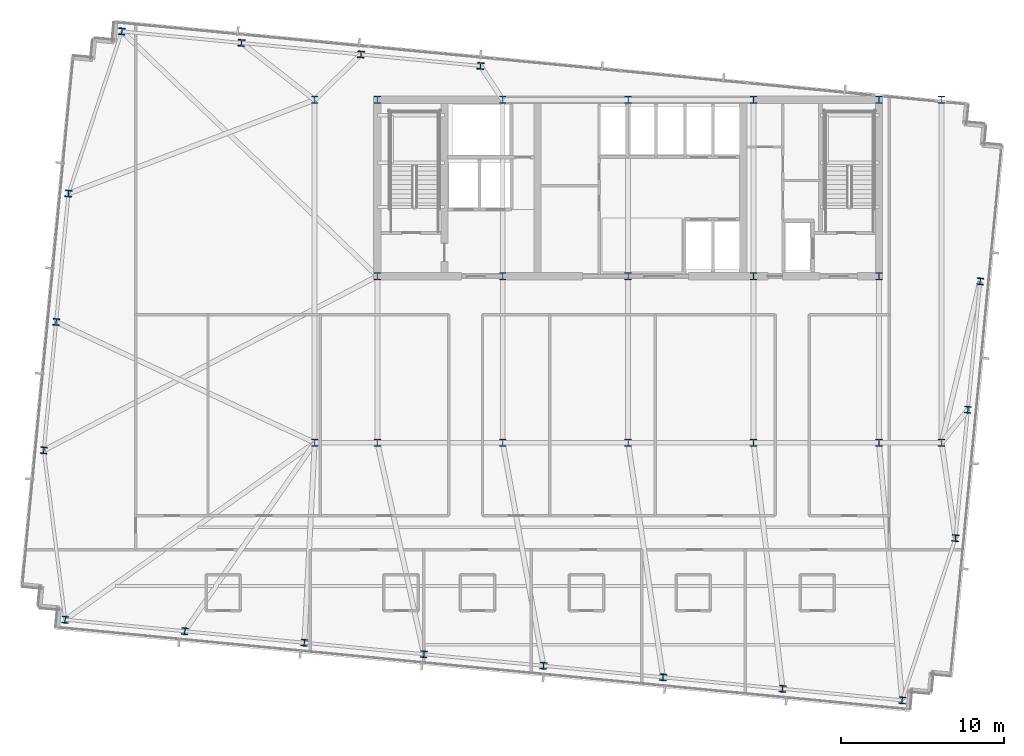
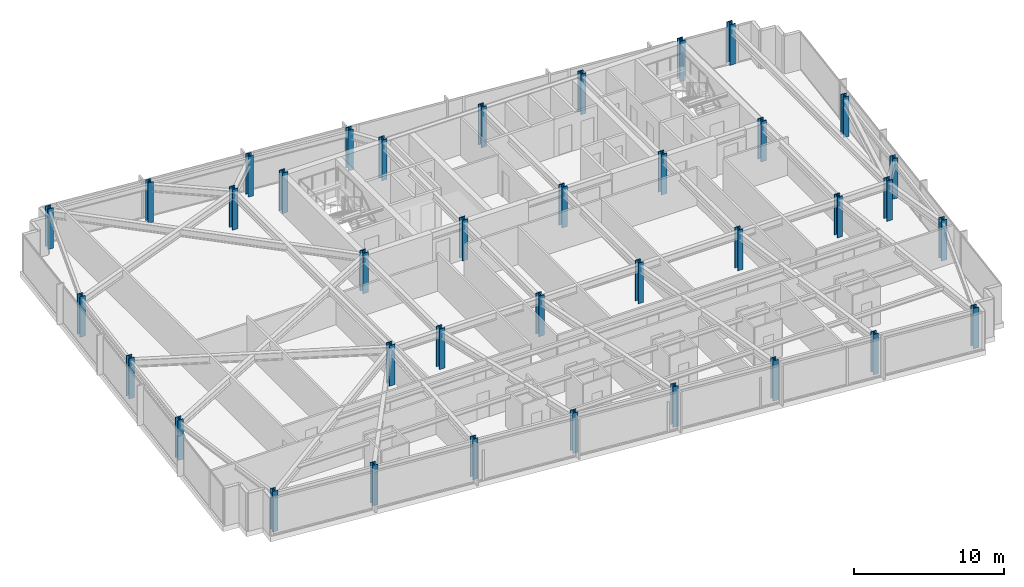
# One storey, part 1 of 37: 37 columns.
"""IFC4 building model written with IfcOpenShell, lengths in metres."""

import ifcopenshell
import ifcopenshell.guid

model = None  # the IFC model being written
_history = None  # IfcOwnerHistory: only IFC2X3 demands one
_inside = {}  # id of a spatial element -> (the spatial element, [elements in it])
_under = {}  # id of a project, library or spatial element -> (it, [spatial elements below it])
_declared = {}  # id of a project -> (the project, [libraries it declares])
_typed = {}  # id of a type object -> (the type object, [elements of that type])
_made_of = {}  # id of a material, layer set ... -> (it, [elements and type objects made of it])


def new_model(schema):
    """Start an empty IFC model of exactly this schema.

    Asked for "IFC4X3", IfcOpenShell would pick the latest addendum, in which some entities
    have other attributes; the version numbers below select the first issue.
    IFC2X3 requires an IfcOwnerHistory on every rooted entity: one is made here for all.
    """
    global model, _history
    if schema == "IFC4X3":
        model = ifcopenshell.file(schema_version=(4, 3, 0, 0))
    else:
        model = ifcopenshell.file(schema=schema)
    _inside.clear()
    _under.clear()
    _declared.clear()
    _typed.clear()
    _made_of.clear()
    _history = None
    if model.schema == "IFC2X3":
        org = make("IfcOrganization", Name="unknown")
        user = make(
            "IfcPersonAndOrganization",
            ThePerson=make("IfcPerson", FamilyName="unknown"),
            TheOrganization=org,
        )
        app = make(
            "IfcApplication",
            ApplicationDeveloper=org,
            Version="unknown",
            ApplicationFullName="unknown",
            ApplicationIdentifier="unknown",
        )
        _history = make(
            "IfcOwnerHistory",
            OwningUser=user,
            OwningApplication=app,
            ChangeAction="ADDED",
            CreationDate=0,
        )
    return model


def make(cls, **values):
    """One entity of the class cls with the attributes given. An attribute that is None is left unset."""
    return model.create_entity(
        cls, **{name: value for name, value in values.items() if value is not None}
    )


def rooted(cls, **values):
    """An entity with a GlobalId (a new one), such as an element, a storey or a relation."""
    return make(cls, GlobalId=ifcopenshell.guid.new(), OwnerHistory=_history, **values)


def si_unit(unit_type, name, prefix=None):
    """IfcSIUnit, for example si_unit("LENGTHUNIT", "METRE", prefix="MILLI")."""
    return make("IfcSIUnit", UnitType=unit_type, Prefix=prefix, Name=name)


def assignment(units):
    """IfcUnitAssignment: the units of a project."""
    return None if units is None else make("IfcUnitAssignment", Units=units)


def point(xyz):
    """IfcCartesianPoint."""
    return None if xyz is None else make("IfcCartesianPoint", Coordinates=xyz)


def direction(xyz):
    """IfcDirection."""
    return None if xyz is None else make("IfcDirection", DirectionRatios=xyz)


def frame(location, z_axis=None, x_axis=None):
    """IfcAxis2Placement3D, a coordinate frame: its origin and axes. An axis left out is left unset."""
    return make(
        "IfcAxis2Placement3D",
        Location=point(location),
        Axis=direction(z_axis),
        RefDirection=direction(x_axis),
    )


def frame_2d(location, x_axis=None):
    """IfcAxis2Placement2D, a coordinate frame in the plane: its origin and x axis."""
    return make(
        "IfcAxis2Placement2D", Location=point(location), RefDirection=direction(x_axis)
    )


def origin():
    """The frame at (0, 0, 0) with its axes left unset."""
    return frame((0.0, 0.0, 0.0))


def origin_2d():
    """The frame at (0, 0) in the plane with its x axis left unset."""
    return frame_2d((0.0, 0.0))


def place(relative_to, where):
    """IfcLocalPlacement: puts the frame where relative to a parent placement (None: the world)."""
    return make(
        "IfcLocalPlacement", PlacementRelTo=relative_to, RelativePlacement=where
    )


def context(
    kind, dimensions, precision=None, world=None, true_north=None, identifier=None
):
    """IfcGeometricRepresentationContext, for example the 3D "Model" context."""
    return make(
        "IfcGeometricRepresentationContext",
        ContextIdentifier=identifier,
        ContextType=kind,
        CoordinateSpaceDimension=dimensions,
        Precision=precision,
        WorldCoordinateSystem=world,
        TrueNorth=true_north,
    )


def subcontext(parent, identifier, kind, view, scale=None):
    """IfcGeometricRepresentationSubContext, for example "Body" below "Model"."""
    return make(
        "IfcGeometricRepresentationSubContext",
        ContextIdentifier=identifier,
        ContextType=kind,
        ParentContext=parent,
        TargetScale=scale,
        TargetView=view,
    )


def project(units=None, contexts=None):
    """IfcProject with its units and contexts."""
    return rooted(
        "IfcProject",
        Name="project",
        RepresentationContexts=contexts,
        UnitsInContext=assignment(units),
    )


def spatial(cls, under=None, at=None, **own):
    """A site, building, storey or space (cls), placed at a placement, below another one or the project."""
    s = rooted(cls, ObjectPlacement=at, **own)
    if under is not None:
        _under.setdefault(under.id(), (under, []))[1].append(s)
    return s


def profile(cls, at=None, kind="AREA", **sizes):
    """A parametric profile (cls). Its sizes go by their IFC names, for example OverallWidth=200.0."""
    return make(cls, ProfileType=kind, Position=at, **sizes)


def i_section(**sizes):
    """IfcIShapeProfileDef."""
    return profile("IfcIShapeProfileDef", **sizes)


def extrude(swept, where, along, depth):
    """IfcExtrudedAreaSolid: the profile swept, set in the frame where, extruded along a direction by depth."""
    return make(
        "IfcExtrudedAreaSolid",
        SweptArea=swept,
        Position=where,
        ExtrudedDirection=direction(along),
        Depth=depth,
    )


def shape(context_of_items, identifier, shape_type, items):
    """IfcShapeRepresentation: the items that make up one representation, for example the "Body"."""
    return make(
        "IfcShapeRepresentation",
        ContextOfItems=context_of_items,
        RepresentationIdentifier=identifier,
        RepresentationType=shape_type,
        Items=items,
    )


def material(Name=None, Category=None):
    """IfcMaterial."""
    return make("IfcMaterial", Name=Name, Category=Category)


def material_profile(
    of_material, cross_section, Name=None, Category=None, Priority=None
):
    """IfcMaterialProfile: a cross section and its material."""
    return make(
        "IfcMaterialProfile",
        Name=Name,
        Material=of_material,
        Profile=cross_section,
        Priority=Priority,
        Category=Category,
    )


def profile_set(profiles, Name=None, composite=None):
    """IfcMaterialProfileSet."""
    return make(
        "IfcMaterialProfileSet",
        Name=Name,
        MaterialProfiles=profiles,
        CompositeProfile=composite,
    )


def made_of(thing, what):
    """Note that an element or type object is made of a material, layer set ...; save() writes the relation."""
    if what is not None:
        _made_of.setdefault(what.id(), (what, []))[1].append(thing)
    return thing


def type_object(cls, material=None, **own):
    """A type object (cls), such as IfcWallType, which elements share."""
    return made_of(rooted(cls, **own), material)


def element(
    cls,
    number,
    at=None,
    inside=None,
    cuts=None,
    type_object=None,
    material=None,
    context=None,
    identifier="Body",
    shape_type=None,
    held_by="IfcProductDefinitionShape",
    body=None,
    shapes=None,
    **own,
):
    """One element of the class cls, such as IfcWall. Its Tag is "e" and its number.

    at: its placement. inside: the storey or other place that contains it. cuts: it is an
    opening in that element (IfcRelVoidsElement). A single representation is given by context,
    identifier, shape_type and body (its items); several are given by shapes. held_by: the class
    of the entity that holds the representations. save() writes the other relations.
    """
    e = rooted(cls, Tag="e%d" % number, ObjectPlacement=at, **own)
    if body is not None:
        shapes = [shape(context, identifier, shape_type, body)]
    if shapes is not None:
        e.Representation = make(held_by, Representations=shapes)
    if inside is not None:
        _inside.setdefault(inside.id(), (inside, []))[1].append(e)
    if cuts is not None:
        rooted(
            "IfcRelVoidsElement", RelatingBuildingElement=cuts, RelatedOpeningElement=e
        )
    if type_object is not None:
        _typed.setdefault(type_object.id(), (type_object, []))[1].append(e)
    return made_of(e, material)


def aggregate(whole, parts):
    """IfcRelAggregates: a whole, such as a stair, and the parts it consists of."""
    return rooted("IfcRelAggregates", RelatingObject=whole, RelatedObjects=parts)


def save(model, path):
    """Write the relations noted so far, then the file.

    IfcRelAggregates (storeys below a building ...), IfcRelContainedInSpatialStructure (elements
    in a storey), IfcRelDefinesByType, IfcRelAssociatesMaterial and IfcRelDeclares: one each for
    every whole, place, type object, material and project.
    """
    for whole, parts in _under.values():
        aggregate(whole, parts)
    for where, things in _inside.values():
        rooted(
            "IfcRelContainedInSpatialStructure",
            RelatedElements=things,
            RelatingStructure=where,
        )
    for kind, things in _typed.values():
        rooted("IfcRelDefinesByType", RelatedObjects=things, RelatingType=kind)
    for what, things in _made_of.values():
        rooted("IfcRelAssociatesMaterial", RelatedObjects=things, RelatingMaterial=what)
    for by, libraries in _declared.values():
        rooted("IfcRelDeclares", RelatingContext=by, RelatedDefinitions=libraries)
    model.write(path)


model = new_model("IFC4")

# Units and contexts
model_context = context("Model", 3, precision=1e-05, world=origin(), true_north=direction((0.0, 1.0)))
body_context = subcontext(model_context, "Body", "Model", "MODEL_VIEW")
ifc_project = project(units=[si_unit("LENGTHUNIT", "METRE"), si_unit("AREAUNIT", "SQUARE_METRE"), si_unit("VOLUMEUNIT", "CUBIC_METRE"), si_unit("PLANEANGLEUNIT", "RADIAN"), si_unit("MASSUNIT", "GRAM", prefix="KILO")], contexts=[model_context])

# Site, building, storey
site_placement = place(None, origin())
site = spatial("IfcSite", under=ifc_project, at=site_placement, CompositionType="ELEMENT")
building_placement = place(site_placement, origin())
building = spatial("IfcBuilding", under=site, at=building_placement, Name="Yelkora Congress Tower", CompositionType="ELEMENT")
storey_placement = place(building_placement, frame((0.0, 0.0, 149.0)))
storey = spatial("IfcBuildingStorey", under=building, at=storey_placement, Name="L40", CompositionType="ELEMENT", Elevation=149.0)

# Columns
ifc_material = material(Name="Steel S460M", Category="steel")
ifc_material_profile_1 = material_profile(ifc_material, i_section(OverallWidth=0.406005859375, OverallDepth=0.416015625, WebThickness=0.02978515625, FlangeThickness=0.048095703125, FilletRadius=0.014892578125, at=origin_2d()), Name="HD 400x382")
ifc_profile_set_1 = profile_set([ifc_material_profile_1], Name="Steel S460M")
column_type_1 = type_object("IfcColumnType", Name="COL-HD-382-EXT", PredefinedType="COLUMN", material=ifc_profile_set_1)
for number, where, z_axis, x_axis, name in (
    (1, (3.919189453125, 14.357421875, 0.0), (0.0, 0.0, 1.0), (0.995396198367, -0.09584575252, 0.0), "L40 Perimeter Column S01"),
    (2, (11.242431640625, 13.652099609375, 0.0), (0.0, 0.0, 1.0), (0.995396198367, -0.09584575252, 0.0), "L40 Perimeter Column S02"),
    (3, (18.56591796875, 12.947021484375, 0.0), (0.0, 0.0, 1.0), (0.995396198367, -0.09584575252, 0.0), "L40 Perimeter Column S03"),
    (4, (25.888916015625, 12.24169921875, 0.0), (0.0, 0.0, 1.0), (0.995396198367, -0.09584575252, 0.0), "L40 Perimeter Column S04"),
    (5, (33.21240234375, 11.53662109375, 0.0), (0.0, 0.0, 1.0), (0.995396198367, -0.09584575252, 0.0), "L40 Perimeter Column S05"),
    (6, (40.53564453125, 10.83154296875, 0.0), (0.0, 0.0, 1.0), (0.995396198367, -0.09584575252, 0.0), "L40 Perimeter Column S06"),
    (7, (47.85888671875, 10.12646484375, 0.0), (0.0, 0.0, 1.0), (0.995396198367, -0.09584575252, 0.0), "L40 Perimeter Column S07"),
    (8, (55.18212890625, 9.421142578125, 0.0), (0.0, 0.0, 1.0), (0.995396198367, -0.09584575252, 0.0), "L40 Perimeter Column S08"),
    (9, (7.388916015625, 50.390625, 0.0), (0.0, 0.0, 1.0), (0.995396198367, -0.09584575252, 0.0), "L40 Perimeter Column N01"),
    (10, (14.712158203125, 49.685546875, 0.0), (0.0, 0.0, 1.0), (0.995396198367, -0.09584575252, 0.0), "L40 Perimeter Column N02"),
    (11, (22.035400390625, 48.980224609375, 0.0), (0.0, 0.0, 1.0), (0.995396198367, -0.09584575252, 0.0), "L40 Perimeter Column N03"),
    (12, (29.358642578125, 48.275146484375, 0.0), (0.0, 0.0, 1.0), (0.995396198367, -0.09584575252, 0.0), "L40 Perimeter Column N04"),
    (13, (2.607421875, 24.730712890625, 0.0), (0.0, 0.0, 1.0), (0.995396198367, -0.09584575252, 0.0), "L40 Perimeter Column W01"),
    (14, (58.44921875, 19.353759765625, 0.0), (0.0, 0.0, 1.0), (0.995396198367, -0.09584575252, 0.0), "L40 Perimeter Column E01"),
    (15, (3.364501953125, 32.594482421875, 0.0), (0.0, 0.0, 1.0), (0.995396198367, -0.09584575252, 0.0), "L40 Perimeter Column W02"),
    (16, (59.206298828125, 27.217529296875, 0.0), (0.0, 0.0, 1.0), (0.995396198367, -0.09584575252, 0.0), "L40 Perimeter Column E02"),
    (17, (4.121826171875, 40.4580078125, 0.0), (0.0, 0.0, 1.0), (0.995396198367, -0.09584575252, 0.0), "L40 Perimeter Column W03"),
    (18, (59.96337890625, 35.0810546875, 0.0), (0.0, 0.0, 1.0), (0.995396198367, -0.09584575252, 0.0), "L40 Perimeter Column E03"),
):
    element("IfcColumn", number, at=place(storey_placement, frame(where, z_axis=z_axis, x_axis=x_axis)), inside=storey, type_object=column_type_1, Name=name, PredefinedType="COLUMN", context=body_context, shape_type="SweptSolid", body=[
        extrude(i_section(OverallWidth=0.406005859375, OverallDepth=0.416015625, WebThickness=0.02978515625, FlangeThickness=0.048095703125, FilletRadius=0.014892578125, at=origin_2d()), origin(), (0.0, 0.0, 1.0), 3.300048828125),
    ])
ifc_material_profile_2 = material_profile(ifc_material, i_section(OverallWidth=0.41796875, OverallDepth=0.455078125, WebThickness=0.0419921875, FlangeThickness=0.068115234375, FilletRadius=0.014892578125, at=origin_2d()), Name="HD 400x551")
ifc_profile_set_2 = profile_set([ifc_material_profile_2], Name="Steel S460M")
column_type_2 = type_object("IfcColumnType", Name="COL-HD-551", PredefinedType="COLUMN", material=ifc_profile_set_2)
for number, where, z_axis, x_axis, name in (
    (19, (23.0400390625, 35.39990234375, 0.0), (0.0, 0.0, 1.0), (1.0, 0.0, 0.0), "L40 Mega Column MC-S1"),
    (20, (23.0400390625, 46.199951171875, 0.0), (0.0, 0.0, 1.0), (1.0, 0.0, 0.0), "L40 Mega Column MC-N1"),
    (21, (23.0400390625, 25.199951171875, 0.0), (0.0, 0.0, 1.0), (1.0, 0.0, 0.0), "L40 Mega Column MC-D1"),
    (22, (30.719970703125, 35.39990234375, 0.0), (0.0, 0.0, 1.0), (1.0, 0.0, 0.0), "L40 Mega Column MC-S2"),
    (23, (30.719970703125, 46.199951171875, 0.0), (0.0, 0.0, 1.0), (1.0, 0.0, 0.0), "L40 Mega Column MC-N2"),
    (24, (30.719970703125, 25.199951171875, 0.0), (0.0, 0.0, 1.0), (1.0, 0.0, 0.0), "L40 Mega Column MC-D2"),
    (25, (38.39990234375, 35.39990234375, 0.0), (0.0, 0.0, 1.0), (1.0, 0.0, 0.0), "L40 Mega Column MC-S3"),
    (26, (38.39990234375, 46.199951171875, 0.0), (0.0, 0.0, 1.0), (1.0, 0.0, 0.0), "L40 Mega Column MC-N3"),
    (27, (38.39990234375, 25.199951171875, 0.0), (0.0, 0.0, 1.0), (1.0, 0.0, 0.0), "L40 Mega Column MC-D3"),
    (28, (46.080078125, 35.39990234375, 0.0), (0.0, 0.0, 1.0), (1.0, 0.0, 0.0), "L40 Mega Column MC-S4"),
    (29, (46.080078125, 46.199951171875, 0.0), (0.0, 0.0, 1.0), (1.0, 0.0, 0.0), "L40 Mega Column MC-N4"),
    (30, (46.080078125, 25.199951171875, 0.0), (0.0, 0.0, 1.0), (1.0, 0.0, 0.0), "L40 Mega Column MC-D4"),
    (31, (53.760009765625, 35.39990234375, 0.0), (0.0, 0.0, 1.0), (1.0, 0.0, 0.0), "L40 Mega Column MC-S5"),
    (32, (53.760009765625, 46.199951171875, 0.0), (0.0, 0.0, 1.0), (1.0, 0.0, 0.0), "L40 Mega Column MC-N5"),
    (33, (53.760009765625, 25.199951171875, 0.0), (0.0, 0.0, 1.0), (1.0, 0.0, 0.0), "L40 Mega Column MC-D5"),
    (34, (19.199951171875, 25.199951171875, 0.0), (0.0, 0.0, 1.0), (1.0, 0.0, 0.0), "L40 Mega Column MC-F1"),
    (35, (57.60009765625, 25.199951171875, 0.0), (0.0, 0.0, 1.0), (1.0, 0.0, 0.0), "L40 Mega Column MC-F2"),
    (36, (19.199951171875, 46.199951171875, 0.0), (0.0, 0.0, 1.0), (1.0, 0.0, 0.0), "L40 Mega Column MC-F3"),
    (37, (57.60009765625, 46.199951171875, 0.0), (0.0, 0.0, 1.0), (1.0, 0.0, 0.0), "L40 Mega Column MC-F4"),
):
    element("IfcColumn", number, at=place(storey_placement, frame(where, z_axis=z_axis, x_axis=x_axis)), inside=storey, type_object=column_type_2, Name=name, PredefinedType="COLUMN", context=body_context, shape_type="SweptSolid", body=[
        extrude(i_section(OverallWidth=0.41796875, OverallDepth=0.455078125, WebThickness=0.0419921875, FlangeThickness=0.068115234375, FilletRadius=0.014892578125, at=origin_2d()), origin(), (0.0, 0.0, 1.0), 3.300048828125),
    ])

save(model, "model.ifc")
